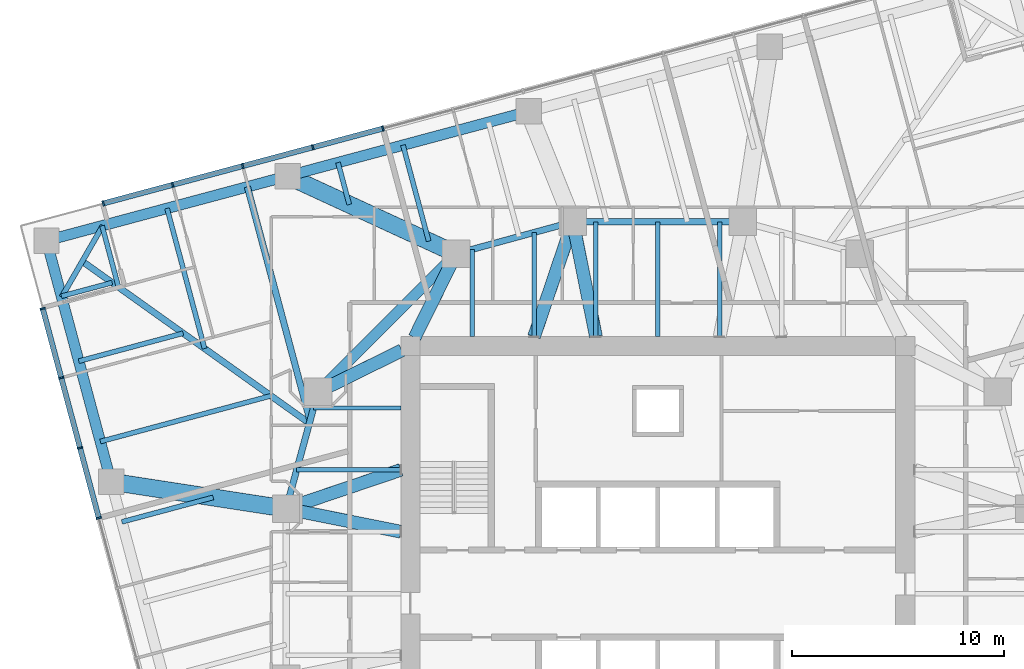
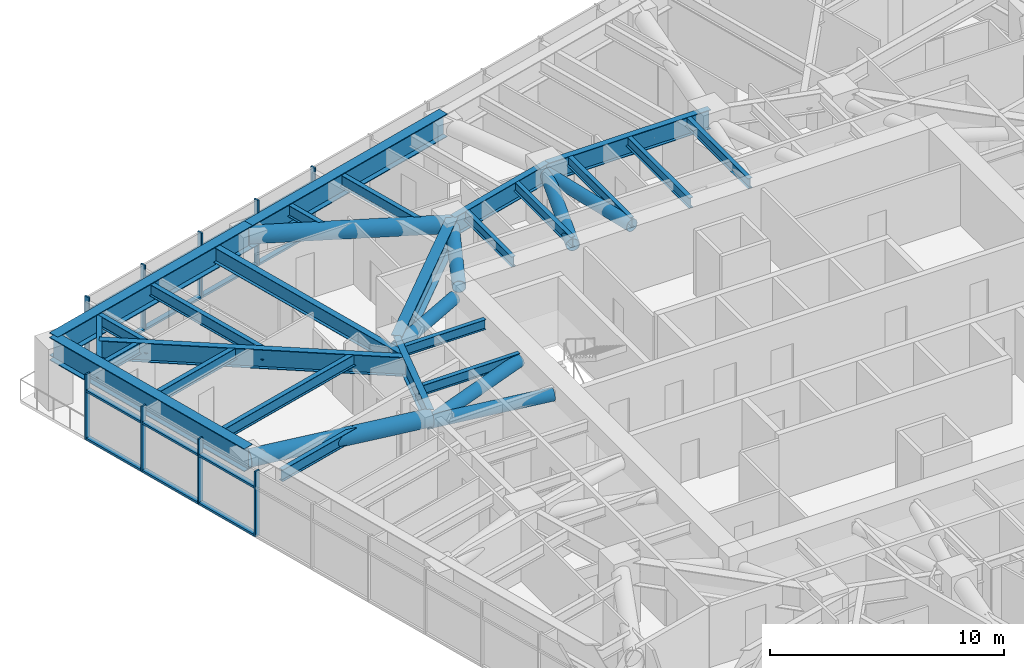
# One storey, part 6 of 18: 31 members, 25 beams, 2 elements without a shape of their own.
"""IFC4 building model written with IfcOpenShell, lengths in metres."""

from ifc_helpers import new_model, si_unit, direction, frame, origin, origin_2d, place, context, subcontext, project, spatial, rectangle, hollow_circle, i_section, extrude, material, material_profile, profile_set, type_object, element, aggregate, save


model = new_model("IFC4")

# Units and contexts
model_context = context("Model", 3, precision=1e-05, world=origin(), true_north=direction((0.0, 1.0)))
body_context = subcontext(model_context, "Body", "Model", "MODEL_VIEW")
ifc_project = project(units=[si_unit("LENGTHUNIT", "METRE"), si_unit("AREAUNIT", "SQUARE_METRE"), si_unit("VOLUMEUNIT", "CUBIC_METRE"), si_unit("PLANEANGLEUNIT", "RADIAN"), si_unit("MASSUNIT", "GRAM", prefix="KILO")], contexts=[model_context])

# Site, building, storey
site_placement = place(None, origin())
site = spatial("IfcSite", under=ifc_project, at=site_placement, CompositionType="ELEMENT")
building_placement = place(site_placement, origin())
building = spatial("IfcBuilding", under=site, at=building_placement, Name="Torsade Residences", CompositionType="ELEMENT")
storey_placement = place(building_placement, frame((0.0, 0.0, 135.39990234375)))
storey = spatial("IfcBuildingStorey", under=building, at=storey_placement, Name="L37", CompositionType="ELEMENT", Elevation=135.39990234375)

# Beams
ifc_material_1 = material(Name="Steel grade 300", Category="steel")
ifc_material_profile_1 = material_profile(ifc_material_1, i_section(OverallWidth=0.300048828125, OverallDepth=1.0, WebThickness=0.01611328125, FlangeThickness=0.028076171875, at=origin_2d()), Name="1000WB215")
ifc_profile_set_1 = profile_set([ifc_material_profile_1], Name="Steel grade 300")
beam_type_1 = type_object("IfcBeamType", Name="CORNER GIRDER 1000WB215", PredefinedType="BEAM", material=ifc_profile_set_1)
beam_1_placement = place(storey_placement, frame((12.902587890625, 45.644775390625, 2.7001953125), z_axis=(0.814185372416, -0.58060501147, 0.0), x_axis=(0.58060501147, 0.814185372416, 0.0)))
element("IfcBeam", 1, at=beam_1_placement, inside=storey, type_object=beam_type_1, Name="Corner girder 13 L38", PredefinedType="BEAM", context=body_context, shape_type="SweptSolid", body=[
    extrude(i_section(OverallWidth=0.300048828125, OverallDepth=1.0, WebThickness=0.01611328125, FlangeThickness=0.028076171875, at=origin_2d()), origin(), (0.0, 0.0, 1.0), 13.134033203125),
])
ifc_material_2 = material(Name="Steel grade 300", Category="steel")
ifc_material_profile_2 = material_profile(ifc_material_2, i_section(OverallWidth=0.25, OverallDepth=0.699951171875, WebThickness=0.010009765625, FlangeThickness=0.02001953125, at=origin_2d()), Name="700WB130")
ifc_profile_set_2 = profile_set([ifc_material_profile_2], Name="Steel grade 300")
beam_type_2 = type_object("IfcBeamType", Name="CORNER TRIMMER 700WB130", PredefinedType="BEAM", material=ifc_profile_set_2)
beam_2_placement = place(storey_placement, frame((11.93017578125, 43.960693359375, 2.85009765625), z_axis=(0.499994147244, 0.866028782848, 0.0), x_axis=(-0.866028782848, 0.499994147244, 0.0)))
element("IfcBeam", 2, at=beam_2_placement, inside=storey, type_object=beam_type_2, Name="Corner trimmer 13 L38", PredefinedType="BEAM", context=body_context, shape_type="SweptSolid", body=[
    extrude(i_section(OverallWidth=0.25, OverallDepth=0.699951171875, WebThickness=0.010009765625, FlangeThickness=0.02001953125, at=origin_2d()), origin(), (0.0, 0.0, 1.0), 3.88916015625),
])
ifc_material_3 = material(Name="Steel grade 300", Category="steel")
ifc_material_profile_3 = material_profile(ifc_material_3, i_section(OverallWidth=0.208984375, OverallDepth=0.528076171875, WebThickness=0.009521484375, FlangeThickness=0.01318359375, FilletRadius=0.013916015625, at=origin_2d()), Name="530UB82.0")
ifc_profile_set_3 = profile_set([ifc_material_profile_3], Name="Steel grade 300")
beam_type_3 = type_object("IfcBeamType", Name="INNER FLOOR BEAM 530UB82.0", PredefinedType="JOIST", material=ifc_profile_set_3)
beam_3_placement = place(storey_placement, frame((31.262451171875, 42.10009765625, 2.93603515625), z_axis=(0.0, 1.0, 0.0), x_axis=(-1.0, 0.0, 0.0)))
element("IfcBeam", 3, at=beam_3_placement, inside=storey, type_object=beam_type_3, Name="Inner floor beam IN01 L38", PredefinedType="JOIST", context=body_context, shape_type="SweptSolid", body=[
    extrude(i_section(OverallWidth=0.208984375, OverallDepth=0.528076171875, WebThickness=0.009521484375, FlangeThickness=0.01318359375, FilletRadius=0.013916015625, at=origin_2d()), origin(), (0.0, 0.0, 1.0), 4.10791015625),
])
beam_4_placement = place(storey_placement, frame((34.175048828125, 42.10009765625, 2.93603515625), z_axis=(0.0, 1.0, 0.0), x_axis=(-1.0, 0.0, 0.0)))
element("IfcBeam", 4, at=beam_4_placement, inside=storey, type_object=beam_type_3, Name="Inner floor beam IN02 L38", PredefinedType="JOIST", context=body_context, shape_type="SweptSolid", body=[
    extrude(i_section(OverallWidth=0.208984375, OverallDepth=0.528076171875, WebThickness=0.009521484375, FlangeThickness=0.01318359375, FilletRadius=0.013916015625, at=origin_2d()), origin(), (0.0, 0.0, 1.0), 4.902099609375),
])
for number, where, z_axis, x_axis, name in (
    (5, (37.08740234375, 42.10009765625, 2.93603515625), (0.0, 1.0, 0.0), (-1.0, 0.0, 0.0), "Inner floor beam IN03 L38"),
    (6, (40.0, 42.10009765625, 2.93603515625), (0.0, 1.0, 0.0), (-1.0, 0.0, 0.0), "Inner floor beam IN04 L38"),
    (7, (42.91259765625, 42.10009765625, 2.93603515625), (0.0, 1.0, 0.0), (-1.0, 0.0, 0.0), "Inner floor beam IN05 L38"),
):
    element("IfcBeam", number, at=place(storey_placement, frame(where, z_axis=z_axis, x_axis=x_axis)), inside=storey, type_object=beam_type_3, Name=name, PredefinedType="JOIST", context=body_context, shape_type="SweptSolid", body=[
        extrude(i_section(OverallWidth=0.208984375, OverallDepth=0.528076171875, WebThickness=0.009521484375, FlangeThickness=0.01318359375, FilletRadius=0.013916015625, at=origin_2d()), origin(), (0.0, 0.0, 1.0), 5.39990234375),
    ])
beam_5_placement = place(storey_placement, frame((27.89990234375, 38.737548828125, 2.93603515625), z_axis=(-1.0, 0.0, 0.0), x_axis=(0.0, -1.0, 0.0)))
element("IfcBeam", 8, at=beam_5_placement, inside=storey, type_object=beam_type_3, Name="Inner floor beam IW01 L38", PredefinedType="JOIST", context=body_context, shape_type="SweptSolid", body=[
    extrude(i_section(OverallWidth=0.208984375, OverallDepth=0.528076171875, WebThickness=0.009521484375, FlangeThickness=0.01318359375, FilletRadius=0.013916015625, at=origin_2d()), origin(), (0.0, 0.0, 1.0), 4.10791015625),
])
beam_6_placement = place(storey_placement, frame((27.89990234375, 35.824951171875, 2.93603515625), z_axis=(-1.0, 0.0, 0.0), x_axis=(0.0, -1.0, 0.0)))
element("IfcBeam", 9, at=beam_6_placement, inside=storey, type_object=beam_type_3, Name="Inner floor beam IW02 L38", PredefinedType="JOIST", context=body_context, shape_type="SweptSolid", body=[
    extrude(i_section(OverallWidth=0.208984375, OverallDepth=0.528076171875, WebThickness=0.009521484375, FlangeThickness=0.01318359375, FilletRadius=0.013916015625, at=origin_2d()), origin(), (0.0, 0.0, 1.0), 4.902099609375),
])

# Curtain wall, members
ifc_material_4 = material(Name="Aluminium and glass", Category="aluminium")
curtain_wall_type = type_object("IfcCurtainWallType", Name="FRITTED GLASS CURTAIN WALL MID ZONE", PredefinedType="NOTDEFINED", material=ifc_material_4)
curtain_wall_1_placement = place(storey_placement, origin())
curtain_wall_1 = element("IfcCurtainWall", 10, at=curtain_wall_1_placement, inside=storey, type_object=curtain_wall_type, Name="Curtain wall L37 face 7", PredefinedType="NOTDEFINED")
ifc_material_5 = material(Name="Aluminium mullion", Category="aluminium")
ifc_material_profile_4 = material_profile(ifc_material_5, rectangle(XDim=0.25, YDim=0.080078125, at=origin_2d()), Name="MID ZONE CURTAIN WALL MULLION 250x80")
ifc_profile_set_4 = profile_set([ifc_material_profile_4], Name="Aluminium mullion")
member_type_1 = type_object("IfcMemberType", Name="MID ZONE CURTAIN WALL MULLION 250x80", PredefinedType="MULLION", material=ifc_profile_set_4)
member_1_placement = place(storey_placement, frame((27.058349609375, 51.896484375, 0.0), z_axis=(0.0, 0.0, 1.0), x_axis=(0.258819047783, -0.965925825571, 0.0)))
member_1 = element("IfcMember", 11, at=member_1_placement, type_object=member_type_1, Name="Mullion 9", PredefinedType="MULLION", context=body_context, shape_type="SweptSolid", body=[
    extrude(rectangle(XDim=0.25, YDim=0.080078125, at=origin_2d()), origin(), (0.0, 0.0, 1.0), 3.400146484375),
])
member_2_placement = place(storey_placement, frame((23.75830078125, 51.01220703125, 0.0), z_axis=(0.0, 0.0, 1.0), x_axis=(0.258819047783, -0.965925825571, 0.0)))
member_2 = element("IfcMember", 12, at=member_2_placement, type_object=member_type_1, Name="Mullion 10", PredefinedType="MULLION", context=body_context, shape_type="SweptSolid", body=[
    extrude(rectangle(XDim=0.25, YDim=0.080078125, at=origin_2d()), origin(), (0.0, 0.0, 1.0), 3.400146484375),
])
member_3_placement = place(storey_placement, frame((20.4580078125, 50.1279296875, 0.0), z_axis=(0.0, 0.0, 1.0), x_axis=(0.258819047783, -0.965925825571, 0.0)))
member_3 = element("IfcMember", 13, at=member_3_placement, type_object=member_type_1, Name="Mullion 11", PredefinedType="MULLION", context=body_context, shape_type="SweptSolid", body=[
    extrude(rectangle(XDim=0.25, YDim=0.080078125, at=origin_2d()), origin(), (0.0, 0.0, 1.0), 3.400146484375),
])
member_4_placement = place(storey_placement, frame((17.15771484375, 49.24365234375, 0.0), z_axis=(0.0, 0.0, 1.0), x_axis=(0.258819047783, -0.965925825571, 0.0)))
member_4 = element("IfcMember", 14, at=member_4_placement, type_object=member_type_1, Name="Mullion 12", PredefinedType="MULLION", context=body_context, shape_type="SweptSolid", body=[
    extrude(rectangle(XDim=0.25, YDim=0.080078125, at=origin_2d()), origin(), (0.0, 0.0, 1.0), 3.400146484375),
])
member_5_placement = place(storey_placement, frame((13.89599609375, 48.36962890625, 0.0), z_axis=(0.0, 0.0, 1.0), x_axis=(0.258819047783, -0.965925825571, 0.0)))
member_5 = element("IfcMember", 15, at=member_5_placement, type_object=member_type_1, Name="Mullion 13", PredefinedType="MULLION", context=body_context, shape_type="SweptSolid", body=[
    extrude(rectangle(XDim=0.25, YDim=0.080078125, at=origin_2d()), origin(), (0.0, 0.0, 1.0), 3.400146484375),
])

curtain_wall_2_placement = place(storey_placement, origin())
curtain_wall_2 = element("IfcCurtainWall", 16, at=curtain_wall_2_placement, inside=storey, type_object=curtain_wall_type, Name="Curtain wall L37 face 10", PredefinedType="NOTDEFINED")
member_6_placement = place(storey_placement, frame((11.039306640625, 43.421875, 0.0), z_axis=(0.0, 0.0, 1.0), x_axis=(0.965925825571, 0.258819047783, 0.0)))
member_6 = element("IfcMember", 17, at=member_6_placement, type_object=member_type_1, Name="Mullion 1", PredefinedType="MULLION", context=body_context, shape_type="SweptSolid", body=[
    extrude(rectangle(XDim=0.25, YDim=0.080078125, at=origin_2d()), origin(), (0.0, 0.0, 1.0), 3.400146484375),
])
member_7_placement = place(storey_placement, frame((11.913330078125, 40.16015625, 0.0), z_axis=(0.0, 0.0, 1.0), x_axis=(0.965925825571, 0.258819047783, 0.0)))
member_7 = element("IfcMember", 18, at=member_7_placement, type_object=member_type_1, Name="Mullion 2", PredefinedType="MULLION", context=body_context, shape_type="SweptSolid", body=[
    extrude(rectangle(XDim=0.25, YDim=0.080078125, at=origin_2d()), origin(), (0.0, 0.0, 1.0), 3.400146484375),
])
member_8_placement = place(storey_placement, frame((12.797607421875, 36.85986328125, 0.0), z_axis=(0.0, 0.0, 1.0), x_axis=(0.965925825571, 0.258819047783, 0.0)))
member_8 = element("IfcMember", 19, at=member_8_placement, type_object=member_type_1, Name="Mullion 3", PredefinedType="MULLION", context=body_context, shape_type="SweptSolid", body=[
    extrude(rectangle(XDim=0.25, YDim=0.080078125, at=origin_2d()), origin(), (0.0, 0.0, 1.0), 3.400146484375),
])
member_9_placement = place(storey_placement, frame((13.681884765625, 33.5595703125, 0.0), z_axis=(0.0, 0.0, 1.0), x_axis=(0.965925825571, 0.258819047783, 0.0)))
member_9 = element("IfcMember", 20, at=member_9_placement, type_object=member_type_1, Name="Mullion 4", PredefinedType="MULLION", context=body_context, shape_type="SweptSolid", body=[
    extrude(rectangle(XDim=0.25, YDim=0.080078125, at=origin_2d()), origin(), (0.0, 0.0, 1.0), 3.400146484375),
])

# Member
ifc_material_6 = material(Name="Aluminium transom", Category="aluminium")
ifc_material_profile_5 = material_profile(ifc_material_6, rectangle(XDim=0.25, YDim=0.110107421875, at=origin_2d()), Name="MID ZONE CURTAIN WALL TRANSOM 250x110")
ifc_profile_set_5 = profile_set([ifc_material_profile_5], Name="Aluminium transom")
member_type_2 = type_object("IfcMemberType", Name="MID ZONE CURTAIN WALL TRANSOM 250x110", PredefinedType="USERDEFINED", material=ifc_profile_set_5)
member_10_placement = place(storey_placement, frame((27.019775390625, 51.88623046875, 0.05517578125), z_axis=(-0.965929435155, -0.258805576255, 0.0), x_axis=(0.258805576255, -0.965929435155, 0.0)))
member_10 = element("IfcMember", 21, at=member_10_placement, type_object=member_type_2, Name="Transom 9.1", ObjectType="TRANSOM", PredefinedType="USERDEFINED", context=body_context, shape_type="SweptSolid", body=[
    extrude(rectangle(XDim=0.25, YDim=0.110107421875, at=origin_2d()), origin(), (0.0, 0.0, 1.0), 3.336669921875),
])

member_11_placement = place(storey_placement, frame((27.019775390625, 51.88623046875, 2.55517578125), z_axis=(-0.965929435155, -0.258805576255, 0.0), x_axis=(0.258805576255, -0.965929435155, 0.0)))
member_11 = element("IfcMember", 22, at=member_11_placement, type_object=member_type_2, Name="Transom 9.2", ObjectType="TRANSOM", PredefinedType="USERDEFINED", context=body_context, shape_type="SweptSolid", body=[
    extrude(rectangle(XDim=0.25, YDim=0.110107421875, at=origin_2d()), origin(), (0.0, 0.0, 1.0), 3.336669921875),
])

member_12_placement = place(storey_placement, frame((23.719482421875, 51.001953125, 0.05517578125), z_axis=(-0.965929435155, -0.258805576255, 0.0), x_axis=(0.258805576255, -0.965929435155, 0.0)))
member_12 = element("IfcMember", 23, at=member_12_placement, type_object=member_type_2, Name="Transom 10.1", ObjectType="TRANSOM", PredefinedType="USERDEFINED", context=body_context, shape_type="SweptSolid", body=[
    extrude(rectangle(XDim=0.25, YDim=0.110107421875, at=origin_2d()), origin(), (0.0, 0.0, 1.0), 3.336669921875),
])

member_13_placement = place(storey_placement, frame((23.719482421875, 51.001953125, 2.55517578125), z_axis=(-0.965929435155, -0.258805576255, 0.0), x_axis=(0.258805576255, -0.965929435155, 0.0)))
member_13 = element("IfcMember", 24, at=member_13_placement, type_object=member_type_2, Name="Transom 10.2", ObjectType="TRANSOM", PredefinedType="USERDEFINED", context=body_context, shape_type="SweptSolid", body=[
    extrude(rectangle(XDim=0.25, YDim=0.110107421875, at=origin_2d()), origin(), (0.0, 0.0, 1.0), 3.336669921875),
])

member_14_placement = place(storey_placement, frame((20.419189453125, 50.11767578125, 0.05517578125), z_axis=(-0.965929435155, -0.258805576255, 0.0), x_axis=(0.258805576255, -0.965929435155, 0.0)))
member_14 = element("IfcMember", 25, at=member_14_placement, type_object=member_type_2, Name="Transom 11.1", ObjectType="TRANSOM", PredefinedType="USERDEFINED", context=body_context, shape_type="SweptSolid", body=[
    extrude(rectangle(XDim=0.25, YDim=0.110107421875, at=origin_2d()), origin(), (0.0, 0.0, 1.0), 3.336669921875),
])

member_15_placement = place(storey_placement, frame((20.419189453125, 50.11767578125, 2.55517578125), z_axis=(-0.965929435155, -0.258805576255, 0.0), x_axis=(0.258805576255, -0.965929435155, 0.0)))
member_15 = element("IfcMember", 26, at=member_15_placement, type_object=member_type_2, Name="Transom 11.2", ObjectType="TRANSOM", PredefinedType="USERDEFINED", context=body_context, shape_type="SweptSolid", body=[
    extrude(rectangle(XDim=0.25, YDim=0.110107421875, at=origin_2d()), origin(), (0.0, 0.0, 1.0), 3.336669921875),
])

member_16_placement = place(storey_placement, frame((17.119140625, 49.2333984375, 0.05517578125), z_axis=(-0.965923258633, -0.258828627534, 0.0), x_axis=(0.258828627534, -0.965923258633, 0.0)))
member_16 = element("IfcMember", 27, at=member_16_placement, type_object=member_type_2, Name="Transom 12.1", ObjectType="TRANSOM", PredefinedType="USERDEFINED", context=body_context, shape_type="SweptSolid", body=[
    extrude(rectangle(XDim=0.25, YDim=0.110107421875, at=origin_2d()), origin(), (0.0, 0.0, 1.0), 3.296630859375),
])

member_17_placement = place(storey_placement, frame((17.119140625, 49.2333984375, 2.55517578125), z_axis=(-0.965923258633, -0.258828627534, 0.0), x_axis=(0.258828627534, -0.965923258633, 0.0)))
member_17 = element("IfcMember", 28, at=member_17_placement, type_object=member_type_2, Name="Transom 12.2", ObjectType="TRANSOM", PredefinedType="USERDEFINED", context=body_context, shape_type="SweptSolid", body=[
    extrude(rectangle(XDim=0.25, YDim=0.110107421875, at=origin_2d()), origin(), (0.0, 0.0, 1.0), 3.296630859375),
])

aggregate(curtain_wall_1, [member_1, member_2, member_3, member_4, member_5, member_10, member_11, member_12, member_13, member_14, member_15, member_16, member_17])

member_18_placement = place(storey_placement, frame((11.0498046875, 43.383056640625, 0.05517578125), z_axis=(0.258828627534, -0.965923258633, 0.0), x_axis=(0.965923258633, 0.258828627534, 0.0)))
member_18 = element("IfcMember", 29, at=member_18_placement, type_object=member_type_2, Name="Transom 1.1", ObjectType="TRANSOM", PredefinedType="USERDEFINED", context=body_context, shape_type="SweptSolid", body=[
    extrude(rectangle(XDim=0.25, YDim=0.110107421875, at=origin_2d()), origin(), (0.0, 0.0, 1.0), 3.296630859375),
])

member_19_placement = place(storey_placement, frame((11.0498046875, 43.383056640625, 2.55517578125), z_axis=(0.258828627534, -0.965923258633, 0.0), x_axis=(0.965923258633, 0.258828627534, 0.0)))
member_19 = element("IfcMember", 30, at=member_19_placement, type_object=member_type_2, Name="Transom 1.2", ObjectType="TRANSOM", PredefinedType="USERDEFINED", context=body_context, shape_type="SweptSolid", body=[
    extrude(rectangle(XDim=0.25, YDim=0.110107421875, at=origin_2d()), origin(), (0.0, 0.0, 1.0), 3.296630859375),
])

member_20_placement = place(storey_placement, frame((11.923583984375, 40.12158203125, 0.05517578125), z_axis=(0.258855549498, -0.965916044226, 0.0), x_axis=(0.965916044226, 0.258855549498, 0.0)))
member_20 = element("IfcMember", 31, at=member_20_placement, type_object=member_type_2, Name="Transom 2.1", ObjectType="TRANSOM", PredefinedType="USERDEFINED", context=body_context, shape_type="SweptSolid", body=[
    extrude(rectangle(XDim=0.25, YDim=0.110107421875, at=origin_2d()), origin(), (0.0, 0.0, 1.0), 3.3369140625),
])

member_21_placement = place(storey_placement, frame((11.923583984375, 40.12158203125, 2.55517578125), z_axis=(0.258855549498, -0.965916044226, 0.0), x_axis=(0.965916044226, 0.258855549498, 0.0)))
member_21 = element("IfcMember", 32, at=member_21_placement, type_object=member_type_2, Name="Transom 2.2", ObjectType="TRANSOM", PredefinedType="USERDEFINED", context=body_context, shape_type="SweptSolid", body=[
    extrude(rectangle(XDim=0.25, YDim=0.110107421875, at=origin_2d()), origin(), (0.0, 0.0, 1.0), 3.3369140625),
])

member_22_placement = place(storey_placement, frame((12.807861328125, 36.8212890625, 0.05517578125), z_axis=(0.258873844232, -0.96591114124, 0.0), x_axis=(0.96591114124, 0.258873844232, 0.0)))
member_22 = element("IfcMember", 33, at=member_22_placement, type_object=member_type_2, Name="Transom 3.1", ObjectType="TRANSOM", PredefinedType="USERDEFINED", context=body_context, shape_type="SweptSolid", body=[
    extrude(rectangle(XDim=0.25, YDim=0.110107421875, at=origin_2d()), origin(), (0.0, 0.0, 1.0), 3.336669921875),
])

member_23_placement = place(storey_placement, frame((12.807861328125, 36.8212890625, 2.55517578125), z_axis=(0.258873844232, -0.96591114124, 0.0), x_axis=(0.96591114124, 0.258873844232, 0.0)))
member_23 = element("IfcMember", 34, at=member_23_placement, type_object=member_type_2, Name="Transom 3.2", ObjectType="TRANSOM", PredefinedType="USERDEFINED", context=body_context, shape_type="SweptSolid", body=[
    extrude(rectangle(XDim=0.25, YDim=0.110107421875, at=origin_2d()), origin(), (0.0, 0.0, 1.0), 3.336669921875),
])

aggregate(curtain_wall_2, [member_6, member_7, member_8, member_9, member_18, member_19, member_20, member_21, member_22, member_23])

# Beams
ifc_material_7 = material(Name="Steel grade 300", Category="steel")
ifc_material_profile_6 = material_profile(ifc_material_7, i_section(OverallWidth=0.5, OverallDepth=1.199951171875, WebThickness=0.01611328125, FlangeThickness=0.0400390625, at=origin_2d()), Name="1200WB455")
ifc_profile_set_6 = profile_set([ifc_material_profile_6], Name="Steel grade 300")
beam_type_4 = type_object("IfcBeamType", Name="RING CORNER GIRDER 1200WB455", PredefinedType="BEAM", material=ifc_profile_set_6)
beam_7_placement = place(storey_placement, frame((30.5, 46.0, 2.60009765625), z_axis=(-0.707106781187, -0.707106781187, 0.0), x_axis=(0.707106781187, -0.707106781187, 0.0)))
element("IfcBeam", 35, at=beam_7_placement, inside=storey, type_object=beam_type_4, Name="Ring girder IR07 L38", PredefinedType="BEAM", context=body_context, shape_type="SweptSolid", body=[
    extrude(i_section(OverallWidth=0.5, OverallDepth=1.199951171875, WebThickness=0.01611328125, FlangeThickness=0.0400390625, at=origin_2d()), origin(), (0.0, 0.0, 1.0), 9.1923828125),
])
ifc_material_8 = material(Name="Steel grade 300", Category="steel")
ifc_material_profile_7 = material_profile(ifc_material_8, i_section(OverallWidth=0.300048828125, OverallDepth=1.0, WebThickness=0.01611328125, FlangeThickness=0.028076171875, at=origin_2d()), Name="1000WB215")
ifc_profile_set_7 = profile_set([ifc_material_profile_7], Name="Steel grade 300")
beam_type_5 = type_object("IfcBeamType", Name="RING GIRDER 1000WB215", PredefinedType="BEAM", material=ifc_profile_set_7)
beam_8_placement = place(storey_placement, frame((44.0, 47.5, 2.7001953125), z_axis=(-1.0, 0.0, 0.0), x_axis=(0.0, -1.0, 0.0)))
element("IfcBeam", 36, at=beam_8_placement, inside=storey, type_object=beam_type_5, Name="Ring girder IR05 L38", PredefinedType="BEAM", context=body_context, shape_type="SweptSolid", body=[
    extrude(i_section(OverallWidth=0.300048828125, OverallDepth=1.0, WebThickness=0.01611328125, FlangeThickness=0.028076171875, at=origin_2d()), origin(), (0.0, 0.0, 1.0), 8.0),
])
for number, where, z_axis, x_axis, name in (
    (37, (36.0, 47.5, 2.7001953125), (-0.964763821238, -0.263117405792, 0.0), (0.263117405792, -0.964763821238, 0.0), "Ring girder IR06 L38"),
    (38, (24.0, 39.5, 2.7001953125), (-0.263117405792, -0.964763821238, 0.0), (0.964763821238, -0.263117405792, 0.0), "Ring girder IR08 L38"),
):
    element("IfcBeam", number, at=place(storey_placement, frame(where, z_axis=z_axis, x_axis=x_axis)), inside=storey, type_object=beam_type_5, Name=name, PredefinedType="BEAM", context=body_context, shape_type="SweptSolid", body=[
        extrude(i_section(OverallWidth=0.300048828125, OverallDepth=1.0, WebThickness=0.01611328125, FlangeThickness=0.028076171875, at=origin_2d()), origin(), (0.0, 0.0, 1.0), 5.700927734375),
    ])
ifc_material_9 = material(Name="Steel grade 300", Category="steel")
ifc_material_profile_8 = material_profile(ifc_material_9, i_section(OverallWidth=0.22900390625, OverallDepth=0.612060546875, WebThickness=0.011962890625, FlangeThickness=0.01953125, FilletRadius=0.013916015625, at=origin_2d()), Name="610UB125")
ifc_profile_set_8 = profile_set([ifc_material_profile_8], Name="Steel grade 300")
beam_type_6 = type_object("IfcBeamType", Name="SECONDARY BEAM 610UB125", PredefinedType="JOIST", material=ifc_profile_set_8)
beam_9_placement = place(storey_placement, frame((28.00146484375, 51.114013671875, 2.89404296875), z_axis=(0.258815185258, -0.965926860523, 0.0), x_axis=(0.965926860523, 0.258815185258, 0.0)))
element("IfcBeam", 39, at=beam_9_placement, inside=storey, type_object=beam_type_6, Name="Floor beam FN08 L38", PredefinedType="JOIST", context=body_context, shape_type="SweptSolid", body=[
    extrude(i_section(OverallWidth=0.22900390625, OverallDepth=0.612060546875, WebThickness=0.011962890625, FlangeThickness=0.01953125, FilletRadius=0.013916015625, at=origin_2d()), origin(), (0.0, 0.0, 1.0), 4.6796875),
])
beam_10_placement = place(storey_placement, frame((24.942626953125, 50.29443359375, 2.89404296875), z_axis=(0.258791773706, -0.965933133225, 0.0), x_axis=(0.965933133225, 0.258791773706, 0.0)))
element("IfcBeam", 40, at=beam_10_placement, inside=storey, type_object=beam_type_6, Name="Floor beam FN09 L38", PredefinedType="JOIST", context=body_context, shape_type="SweptSolid", body=[
    extrude(i_section(OverallWidth=0.22900390625, OverallDepth=0.612060546875, WebThickness=0.011962890625, FlangeThickness=0.01953125, FilletRadius=0.013916015625, at=origin_2d()), origin(), (0.0, 0.0, 1.0), 2.045166015625),
])
beam_11_placement = place(storey_placement, frame((16.893310546875, 48.137451171875, 2.89404296875), z_axis=(0.2588122916, -0.965927635859, 0.0), x_axis=(0.965927635859, 0.2588122916, 0.0)))
element("IfcBeam", 41, at=beam_11_placement, inside=storey, type_object=beam_type_6, Name="Floor beam FN11 L38", PredefinedType="JOIST", context=body_context, shape_type="SweptSolid", body=[
    extrude(i_section(OverallWidth=0.22900390625, OverallDepth=0.612060546875, WebThickness=0.011962890625, FlangeThickness=0.01953125, FilletRadius=0.013916015625, at=origin_2d()), origin(), (0.0, 0.0, 1.0), 6.83251953125),
])
beam_12_placement = place(storey_placement, frame((13.83447265625, 47.31787109375, 2.89404296875), z_axis=(0.258840774802, -0.965920003572, 0.0), x_axis=(0.965920003572, 0.258840774802, 0.0)))
element("IfcBeam", 42, at=beam_12_placement, inside=storey, type_object=beam_type_6, Name="Floor beam FN12 L38", PredefinedType="JOIST", context=body_context, shape_type="SweptSolid", body=[
    extrude(i_section(OverallWidth=0.22900390625, OverallDepth=0.612060546875, WebThickness=0.011962890625, FlangeThickness=0.01953125, FilletRadius=0.013916015625, at=origin_2d()), origin(), (0.0, 0.0, 1.0), 2.991943359375),
])
beam_13_placement = place(storey_placement, frame((11.91943359375, 44.0009765625, 2.89404296875), z_axis=(0.965931316634, 0.258798553987, 0.0), x_axis=(-0.258798553987, 0.965931316634, 0.0)))
element("IfcBeam", 43, at=beam_13_placement, inside=storey, type_object=beam_type_6, Name="Floor beam FW01 L38", PredefinedType="JOIST", context=body_context, shape_type="SweptSolid", body=[
    extrude(i_section(OverallWidth=0.22900390625, OverallDepth=0.612060546875, WebThickness=0.011962890625, FlangeThickness=0.01953125, FilletRadius=0.013916015625, at=origin_2d()), origin(), (0.0, 0.0, 1.0), 2.474365234375),
])
beam_14_placement = place(storey_placement, frame((12.739013671875, 40.942138671875, 2.89404296875), z_axis=(0.965927479577, 0.258812874871, 0.0), x_axis=(-0.258812874871, 0.965927479577, 0.0)))
element("IfcBeam", 44, at=beam_14_placement, inside=storey, type_object=beam_type_6, Name="Floor beam FW02 L38", PredefinedType="JOIST", context=body_context, shape_type="SweptSolid", body=[
    extrude(i_section(OverallWidth=0.22900390625, OverallDepth=0.612060546875, WebThickness=0.011962890625, FlangeThickness=0.01953125, FilletRadius=0.013916015625, at=origin_2d()), origin(), (0.0, 0.0, 1.0), 5.08544921875),
])
beam_15_placement = place(storey_placement, frame((13.752685546875, 37.158935546875, 2.89404296875), z_axis=(0.965925771476, 0.258819249667, 0.0), x_axis=(-0.258819249667, 0.965925771476, 0.0)))
element("IfcBeam", 45, at=beam_15_placement, inside=storey, type_object=beam_type_6, Name="Floor beam FW03 L38", PredefinedType="JOIST", context=body_context, shape_type="SweptSolid", body=[
    extrude(i_section(OverallWidth=0.22900390625, OverallDepth=0.612060546875, WebThickness=0.011962890625, FlangeThickness=0.01953125, FilletRadius=0.013916015625, at=origin_2d()), origin(), (0.0, 0.0, 1.0), 8.315185546875),
])
beam_16_placement = place(storey_placement, frame((14.766357421875, 33.375732421875, 2.89404296875), z_axis=(0.965921124784, 0.258836590722, 0.0), x_axis=(-0.258836590722, 0.965921124784, 0.0)))
element("IfcBeam", 46, at=beam_16_placement, inside=storey, type_object=beam_type_6, Name="Floor beam FW04 L38", PredefinedType="JOIST", context=body_context, shape_type="SweptSolid", body=[
    extrude(i_section(OverallWidth=0.22900390625, OverallDepth=0.612060546875, WebThickness=0.011962890625, FlangeThickness=0.01953125, FilletRadius=0.013916015625, at=origin_2d()), origin(), (0.0, 0.0, 1.0), 4.451904296875),
])
ifc_material_10 = material(Name="Steel grade 300", Category="steel")
ifc_material_profile_9 = material_profile(ifc_material_10, i_section(OverallWidth=0.300048828125, OverallDepth=0.800048828125, WebThickness=0.010009765625, FlangeThickness=0.02001953125, at=origin_2d()), Name="800WB146")
ifc_profile_set_9 = profile_set([ifc_material_profile_9], Name="Steel grade 300")
beam_type_7 = type_object("IfcBeamType", Name="SECONDARY BEAM 800WB146", PredefinedType="JOIST", material=ifc_profile_set_9)
beam_17_placement = place(storey_placement, frame((20.676513671875, 49.1513671875, 2.800048828125), z_axis=(0.258807068179, -0.965929035417, 0.0), x_axis=(0.965929035417, 0.258807068179, 0.0)))
element("IfcBeam", 47, at=beam_17_placement, inside=storey, type_object=beam_type_7, Name="Floor beam FN10 L38", PredefinedType="JOIST", context=body_context, shape_type="SweptSolid", body=[
    extrude(i_section(OverallWidth=0.300048828125, OverallDepth=0.800048828125, WebThickness=0.010009765625, FlangeThickness=0.02001953125, at=origin_2d()), origin(), (0.0, 0.0, 1.0), 11.40380859375),
])

# Members
ifc_material_11 = material(Name="Steel grade 450", Category="steel")
ifc_material_profile_10 = material_profile(ifc_material_11, hollow_circle(Radius=0.304931640625, WallThickness=0.01611328125, at=origin_2d()), Name="610.0x16.0CHS")
ifc_profile_set_10 = profile_set([ifc_material_profile_10], Name="Steel grade 450")
member_type_3 = type_object("IfcMemberType", Name="TRANSFER FLOOR BRACE 610.0x16.0CHS", PredefinedType="BRACE", material=ifc_profile_set_10)
member_24_placement = place(storey_placement, frame((36.0, 47.5, 2.60009765625), z_axis=(0.197299045909, -0.97976207845, 0.03375434957), x_axis=(0.980320704809, 0.197411538983, 0.0)))
element("IfcMember", 48, at=member_24_placement, inside=storey, type_object=member_type_3, Name="Transfer floor brace TT4 bottom IR06IN03", PredefinedType="BRACE", context=body_context, shape_type="SweptSolid", body=[
    extrude(hollow_circle(Radius=0.304931640625, WallThickness=0.01611328125, at=origin_2d()), origin(), (0.0, 0.0, 1.0), 5.511474609375),
])
member_25_placement = place(storey_placement, frame((36.0, 47.5, 2.60009765625), z_axis=(-0.319999474368, -0.946855969774, 0.032620682203), x_axis=(0.947360151124, -0.320169867513, 0.0)))
element("IfcMember", 49, at=member_25_placement, inside=storey, type_object=member_type_3, Name="Transfer floor brace TT4 bottom IR06IN02", PredefinedType="BRACE", context=body_context, shape_type="SweptSolid", body=[
    extrude(hollow_circle(Radius=0.304931640625, WallThickness=0.01611328125, at=origin_2d()), origin(), (0.0, 0.0, 1.0), 5.702880859375),
])
for number, where, z_axis, x_axis, name in (
    (50, (30.5, 46.0, 2.60009765625), (-0.443105036702, -0.896469701914, 0.0), (0.896469701914, -0.443105036702, 0.0), "Transfer floor brace TT4 bottom IR07C"),
    (51, (24.0, 39.5, 2.60009765625), (0.896469701914, 0.443105036702, 0.0), (-0.443105036702, 0.896469701914, 0.0), "Transfer floor brace TT4 bottom IR08C"),
):
    element("IfcMember", number, at=place(storey_placement, frame(where, z_axis=z_axis, x_axis=x_axis)), inside=storey, type_object=member_type_3, Name=name, PredefinedType="BRACE", context=body_context, shape_type="SweptSolid", body=[
        extrude(hollow_circle(Radius=0.304931640625, WallThickness=0.01611328125, at=origin_2d()), origin(), (0.0, 0.0, 1.0), 4.40234375),
    ])
member_26_placement = place(storey_placement, frame((22.5, 34.0, 2.60009765625), z_axis=(0.97976207845, -0.197299045909, 0.03375434957), x_axis=(0.197411538983, 0.980320704809, 0.0)))
element("IfcMember", 52, at=member_26_placement, inside=storey, type_object=member_type_3, Name="Transfer floor brace TT4 bottom IR09IW03", PredefinedType="BRACE", context=body_context, shape_type="SweptSolid", body=[
    extrude(hollow_circle(Radius=0.304931640625, WallThickness=0.01611328125, at=origin_2d()), origin(), (0.0, 0.0, 1.0), 5.511474609375),
])
member_27_placement = place(storey_placement, frame((22.5, 34.0, 2.60009765625), z_axis=(0.946855969774, 0.319999474368, 0.032620682203), x_axis=(-0.320169867513, 0.947360151124, 0.0)))
element("IfcMember", 53, at=member_27_placement, inside=storey, type_object=member_type_3, Name="Transfer floor brace TT4 bottom IR09IW02", PredefinedType="BRACE", context=body_context, shape_type="SweptSolid", body=[
    extrude(hollow_circle(Radius=0.304931640625, WallThickness=0.01611328125, at=origin_2d()), origin(), (0.0, 0.0, 1.0), 5.702880859375),
])
ifc_material_12 = material(Name="Steel grade 450", Category="steel")
ifc_material_profile_11 = material_profile(ifc_material_12, hollow_circle(Radius=0.406494140625, WallThickness=0.02490234375, at=origin_2d()), Name="813.0x25.0CHS")
ifc_profile_set_11 = profile_set([ifc_material_profile_11], Name="Steel grade 450")
member_type_4 = type_object("IfcMemberType", Name="TRANSFER FLOOR STRUT 813.0x25.0CHS", PredefinedType="STRUT", material=ifc_profile_set_11)
member_28_placement = place(storey_placement, frame((22.568115234375, 49.658203125, 2.800048828125), z_axis=(0.908075513562, -0.418806472813, 0.0), x_axis=(0.418806472813, 0.908075513562, 0.0)))
element("IfcMember", 54, at=member_28_placement, inside=storey, type_object=member_type_4, Name="Transfer floor strut TT4 bottom 12IR07", PredefinedType="STRUT", context=body_context, shape_type="SweptSolid", body=[
    extrude(hollow_circle(Radius=0.406494140625, WallThickness=0.02490234375, at=origin_2d()), origin(), (0.0, 0.0, 1.0), 8.73486328125),
])
member_29_placement = place(storey_placement, frame((14.259521484375, 35.267333984375, 2.800048828125), z_axis=(0.98837948251, -0.152006574044, 0.0), x_axis=(0.152006574044, 0.98837948251, 0.0)))
element("IfcMember", 55, at=member_29_placement, inside=storey, type_object=member_type_4, Name="Transfer floor strut TT4 bottom 14IR09", PredefinedType="STRUT", context=body_context, shape_type="SweptSolid", body=[
    extrude(hollow_circle(Radius=0.406494140625, WallThickness=0.02490234375, at=origin_2d()), origin(), (0.0, 0.0, 1.0), 8.33740234375),
])

# Beams
ifc_material_13 = material(Name="Steel grade 300", Category="steel")
ifc_material_profile_12 = material_profile(ifc_material_13, i_section(OverallWidth=0.5, OverallDepth=1.199951171875, WebThickness=0.01611328125, FlangeThickness=0.0400390625, at=origin_2d()), Name="1200WB455")
ifc_profile_set_12 = profile_set([ifc_material_profile_12], Name="Steel grade 300")
beam_type_8 = type_object("IfcBeamType", Name="TRANSFER TRUSS CHORD 1200WB455", PredefinedType="USERDEFINED", material=ifc_profile_set_12)
for number, where, z_axis, x_axis, name in (
    (56, (33.917724609375, 52.69921875, 2.800048828125), (-0.965928018634, -0.258810863021, 0.0), (0.258810863021, -0.965928018634, 0.0), "Transfer truss TT4 bottom chord 11"),
    (57, (22.568115234375, 49.658203125, 2.800048828125), (-0.965922824118, -0.258830249097, 0.0), (0.258830249097, -0.965922824118, 0.0), "Transfer truss TT4 bottom chord 12"),
    (58, (11.218505859375, 46.616943359375, 2.800048828125), (0.258810863021, -0.965928018634, 0.0), (0.965928018634, 0.258810863021, 0.0), "Transfer truss TT4 bottom chord 13"),
):
    element("IfcBeam", number, at=place(storey_placement, frame(where, z_axis=z_axis, x_axis=x_axis)), inside=storey, type_object=beam_type_8, Name=name, ObjectType="TRANSFER TRUSS CHORD", PredefinedType="USERDEFINED", context=body_context, shape_type="SweptSolid", body=[
        extrude(i_section(OverallWidth=0.5, OverallDepth=1.199951171875, WebThickness=0.01611328125, FlangeThickness=0.0400390625, at=origin_2d()), origin(), (0.0, 0.0, 1.0), 11.75),
    ])

save(model, "model.ifc")
